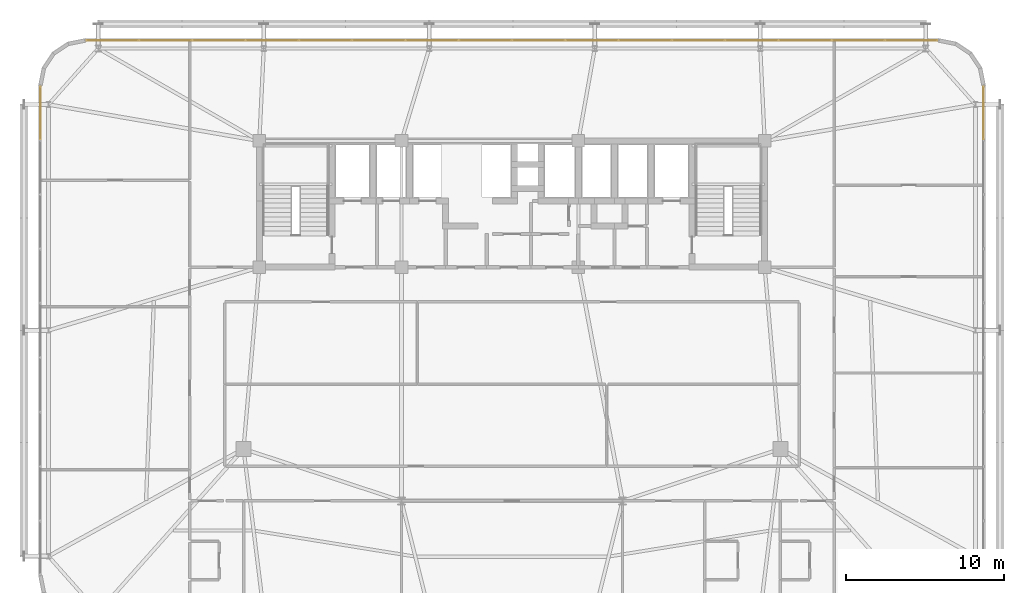
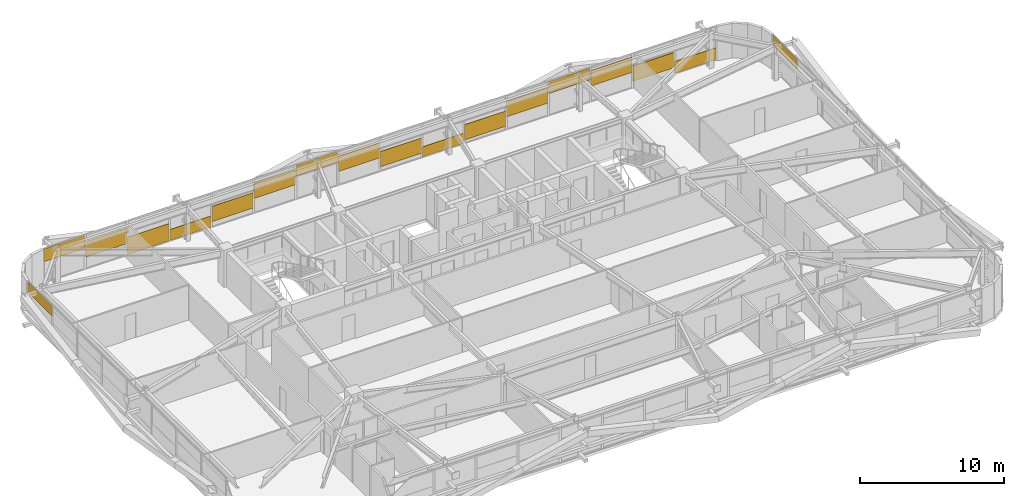
# One storey, part 59 of 59: 18 coverings.
"""IFC4 building model written with IfcOpenShell, lengths in metres."""

from ifc_helpers import new_model, si_unit, direction, frame, origin, origin_2d, place, context, subcontext, project, spatial, rectangle, extrude, source, transform, mapped, material, layer, layer_set, type_object, element, save


model = new_model("IFC4")

# Units and contexts
model_context = context("Model", 3, precision=1e-05, world=origin(), true_north=direction((0.0, 1.0)))
body_context = subcontext(model_context, "Body", "Model", "MODEL_VIEW")
ifc_project = project(units=[si_unit("LENGTHUNIT", "METRE"), si_unit("AREAUNIT", "SQUARE_METRE"), si_unit("VOLUMEUNIT", "CUBIC_METRE"), si_unit("PLANEANGLEUNIT", "RADIAN"), si_unit("MASSUNIT", "GRAM", prefix="KILO")], contexts=[model_context])

# Site, building, storey
site_placement = place(None, origin())
site = spatial("IfcSite", under=ifc_project, at=site_placement, CompositionType="ELEMENT")
building_placement = place(site_placement, origin())
building = spatial("IfcBuilding", under=site, at=building_placement, Name="Taldren Reach Tower", CompositionType="ELEMENT")
storey_placement = place(building_placement, frame((0.0, 0.0, 26.25)))
storey = spatial("IfcBuildingStorey", under=building, at=storey_placement, Name="L07", CompositionType="ELEMENT", Elevation=26.25)

# Coverings
ifc_material = material(Name="Pale Champagne Fluoropolymer Aluminium Spandrel Cladding", Category="aluminium")
ifc_layer = layer(ifc_material, 0.0439453125)
ifc_layer_set = layer_set([ifc_layer], Name="Pale Champagne Fluoropolymer Aluminium Spandrel Cladding")
covering_type = type_object("IfcCoveringType", Name="CV-CLAD-044", PredefinedType="CLADDING", material=ifc_layer_set)
shared_shape_1 = source(origin(), body_context, "Body", "SweptSolid", [
    extrude(rectangle(XDim=3.277587890625, YDim=0.0439453125, at=origin_2d()), origin(), (0.0, 0.0, 1.0), 1.081298828125),
])
covering_1_placement = place(storey_placement, frame((9.703857421875, 38.360107421875, 1.7939453125), z_axis=(0.0, 0.0, 1.0), x_axis=(-1.0, 0.0, 0.0)))
element("IfcCovering", 1, at=covering_1_placement, inside=storey, type_object=covering_type, Name="Diagrid closure cladding strip CW-2 panel 16.1 1", PredefinedType="CLADDING", context=body_context, shape_type="MappedRepresentation", body=[
    mapped(shared_shape_1, transform((0.0, 0.0, 0.0), scale=1.0)),
])
shared_shape_2 = source(origin(), body_context, "Body", "SweptSolid", [
    extrude(rectangle(XDim=3.31005859375, YDim=0.0439453125, at=origin_2d()), origin(), (0.0, 0.0, 1.0), 1.301025390625),
])
for number, where, z_axis, x_axis, name in (
    (2, (56.9375, 38.360107421875, 0.5576171875), (0.0, 0.0, 1.0), (-1.0, 0.0, 0.0), "Diagrid closure cladding strip CW-2 panel 2.1 1"),
    (3, (53.5625, 38.360107421875, 1.34033203125), (0.0, 0.0, 1.0), (-1.0, 0.0, 0.0), "Diagrid closure cladding strip CW-2 panel 3.1 1"),
    (4, (46.8125, 38.360107421875, 1.09326171875), (0.0, 0.0, 1.0), (-1.0, 0.0, 0.0), "Diagrid closure cladding strip CW-2 panel 5.1 1"),
    (5, (43.4375, 38.360107421875, 0.31103515625), (0.0, 0.0, 1.0), (-1.0, 0.0, 0.0), "Diagrid closure cladding strip CW-2 panel 6.1 1"),
    (6, (36.6875, 38.360107421875, 0.39306640625), (0.0, 0.0, 1.0), (-1.0, 0.0, 0.0), "Diagrid closure cladding strip CW-2 panel 8.1 1"),
    (7, (33.3125, 38.360107421875, 1.17578125), (0.0, 0.0, 1.0), (-1.0, 0.0, 0.0), "Diagrid closure cladding strip CW-2 panel 9.1 1"),
    (8, (26.5625, 38.360107421875, 1.25830078125), (0.0, 0.0, 1.0), (-1.0, 0.0, 0.0), "Diagrid closure cladding strip CW-2 panel 11.1 1"),
    (9, (23.1875, 38.360107421875, 0.4755859375), (0.0, 0.0, 1.0), (-1.0, 0.0, 0.0), "Diagrid closure cladding strip CW-2 panel 12.1 1"),
    (10, (13.0625, 38.360107421875, 1.01123046875), (0.0, 0.0, 1.0), (-1.0, 0.0, 0.0), "Diagrid closure cladding strip CW-2 panel 15.1 1"),
):
    element("IfcCovering", number, at=place(storey_placement, frame(where, z_axis=z_axis, x_axis=x_axis)), inside=storey, type_object=covering_type, Name=name, PredefinedType="CLADDING", context=body_context, shape_type="MappedRepresentation", body=[
        mapped(shared_shape_2, transform((0.0, 0.0, 0.0), scale=1.0)),
    ])
shared_shape_3 = source(origin(), body_context, "Body", "SweptSolid", [
    extrude(rectangle(XDim=3.31005859375, YDim=0.0439453125, at=origin_2d()), origin(), (0.0, 0.0, 1.0), 1.474609375),
])
covering_2_placement = place(storey_placement, frame((16.4375, 38.360107421875, 0.054931640625), z_axis=(0.0, 0.0, 1.0), x_axis=(-1.0, 0.0, 0.0)))
element("IfcCovering", 11, at=covering_2_placement, inside=storey, type_object=covering_type, Name="Diagrid closure cladding strip CW-2 panel 14.1 1", PredefinedType="CLADDING", context=body_context, shape_type="MappedRepresentation", body=[
    mapped(shared_shape_3, transform((0.0, 0.0, 0.0), scale=1.0)),
])
shared_shape_4 = source(origin(), body_context, "Body", "SweptSolid", [
    extrude(rectangle(XDim=3.31005859375, YDim=0.0439453125, at=origin_2d()), origin(), (0.0, 0.0, 1.0), 0.93896484375),
])
covering_3_placement = place(storey_placement, frame((19.8125, 38.360107421875, 0.054931640625), z_axis=(0.0, 0.0, 1.0), x_axis=(-1.0, 0.0, 0.0)))
element("IfcCovering", 12, at=covering_3_placement, inside=storey, type_object=covering_type, Name="Diagrid closure cladding strip CW-2 panel 13.1 1", PredefinedType="CLADDING", context=body_context, shape_type="MappedRepresentation", body=[
    mapped(shared_shape_4, transform((0.0, 0.0, 0.0), scale=1.0)),
])
shared_shape_5 = source(origin(), body_context, "Body", "SweptSolid", [
    extrude(rectangle(XDim=3.31005859375, YDim=0.0439453125, at=origin_2d()), origin(), (0.0, 0.0, 1.0), 0.916748046875),
])
covering_4_placement = place(storey_placement, frame((29.9375, 38.360107421875, 1.95849609375), z_axis=(0.0, 0.0, 1.0), x_axis=(-1.0, 0.0, 0.0)))
element("IfcCovering", 13, at=covering_4_placement, inside=storey, type_object=covering_type, Name="Diagrid closure cladding strip CW-2 panel 10.1 1", PredefinedType="CLADDING", context=body_context, shape_type="MappedRepresentation", body=[
    mapped(shared_shape_5, transform((0.0, 0.0, 0.0), scale=1.0)),
])
shared_shape_6 = source(origin(), body_context, "Body", "SweptSolid", [
    extrude(rectangle(XDim=3.31005859375, YDim=0.0439453125, at=origin_2d()), origin(), (0.0, 0.0, 1.0), 0.856689453125),
])
covering_5_placement = place(storey_placement, frame((40.0625, 38.360107421875, 0.05517578125), z_axis=(0.0, 0.0, 1.0), x_axis=(-1.0, 0.0, 0.0)))
element("IfcCovering", 14, at=covering_5_placement, inside=storey, type_object=covering_type, Name="Diagrid closure cladding strip CW-2 panel 7.1 1", PredefinedType="CLADDING", context=body_context, shape_type="MappedRepresentation", body=[
    mapped(shared_shape_6, transform((0.0, 0.0, 0.0), scale=1.0)),
])
shared_shape_7 = source(origin(), body_context, "Body", "SweptSolid", [
    extrude(rectangle(XDim=3.31005859375, YDim=0.0439453125, at=origin_2d()), origin(), (0.0, 0.0, 1.0), 0.9990234375),
])
covering_6_placement = place(storey_placement, frame((50.1875, 38.360107421875, 1.8759765625), z_axis=(0.0, 0.0, 1.0), x_axis=(-1.0, 0.0, 0.0)))
element("IfcCovering", 15, at=covering_6_placement, inside=storey, type_object=covering_type, Name="Diagrid closure cladding strip CW-2 panel 4.1 1", PredefinedType="CLADDING", context=body_context, shape_type="MappedRepresentation", body=[
    mapped(shared_shape_7, transform((0.0, 0.0, 0.0), scale=1.0)),
])
shared_shape_8 = source(origin(), body_context, "Body", "SweptSolid", [
    extrude(rectangle(XDim=3.277587890625, YDim=0.0439453125, at=origin_2d()), origin(), (0.0, 0.0, 1.0), 1.021240234375),
])
covering_7_placement = place(storey_placement, frame((60.296142578125, 38.360107421875, 0.05517578125), z_axis=(0.0, 0.0, 1.0), x_axis=(-1.0, 0.0, 0.0)))
element("IfcCovering", 16, at=covering_7_placement, inside=storey, type_object=covering_type, Name="Diagrid closure cladding strip CW-2 panel 1.1 1", PredefinedType="CLADDING", context=body_context, shape_type="MappedRepresentation", body=[
    mapped(shared_shape_8, transform((0.0, 0.0, 0.0), scale=1.0)),
])
shared_shape_9 = source(origin(), body_context, "Body", "SweptSolid", [
    extrude(rectangle(XDim=3.346923828125, YDim=0.0439453125, at=origin_2d()), origin(), (0.0, 0.0, 1.0), 0.864501953125),
])
for number, where, z_axis, x_axis, name in (
    (17, (5.139892578125, 33.761474609375, 2.01025390625), (0.0, 0.0, 1.0), (0.0, -1.0, 0.0), "Diagrid closure cladding strip CW-2 panel 1.1 1"),
    (18, (64.860107421875, 33.761474609375, 2.01025390625), (0.0, 0.0, 1.0), (0.0, 1.0, 0.0), "Diagrid closure cladding strip CW-2 panel 9.1 1"),
):
    element("IfcCovering", number, at=place(storey_placement, frame(where, z_axis=z_axis, x_axis=x_axis)), inside=storey, type_object=covering_type, Name=name, PredefinedType="CLADDING", context=body_context, shape_type="MappedRepresentation", body=[
        mapped(shared_shape_9, transform((0.0, 0.0, 0.0), scale=1.0)),
    ])

save(model, "model.ifc")
